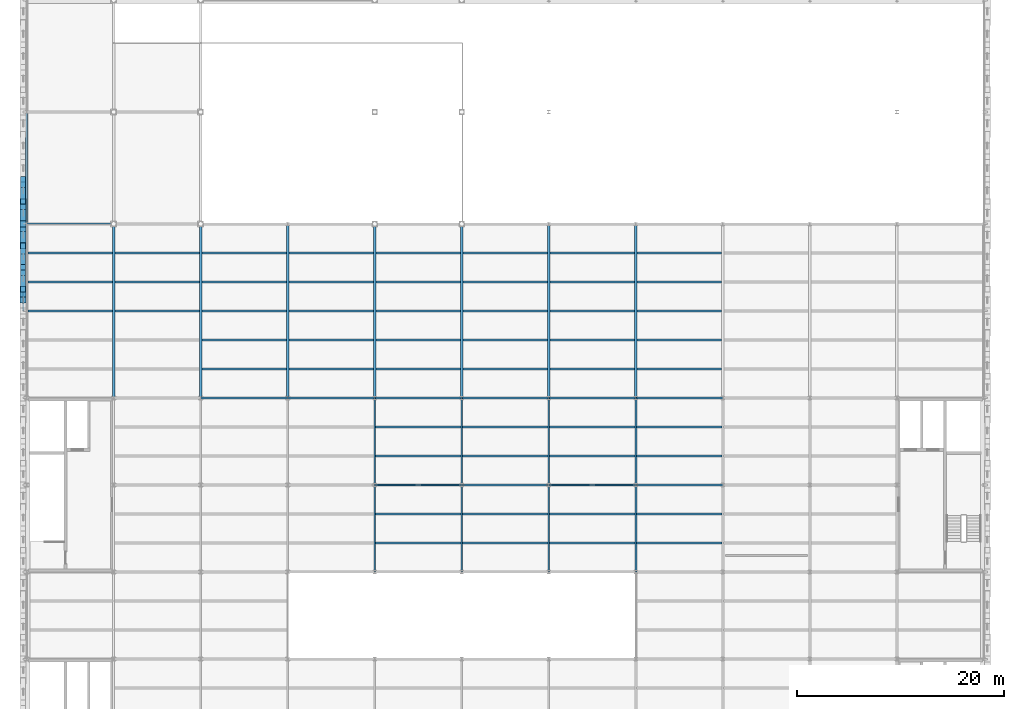
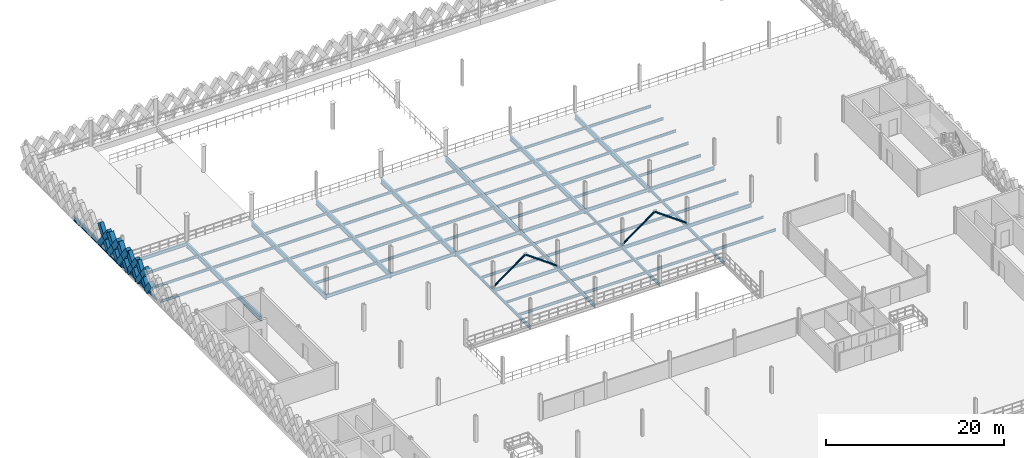
# One storey, part 22 of 47: 79 beams, 21 members.
"""IFC4 building model written with IfcOpenShell, lengths in metres."""

import ifcopenshell
import ifcopenshell.guid

model = None  # the IFC model being written
_history = None  # IfcOwnerHistory: only IFC2X3 demands one
_inside = {}  # id of a spatial element -> (the spatial element, [elements in it])
_under = {}  # id of a project, library or spatial element -> (it, [spatial elements below it])
_declared = {}  # id of a project -> (the project, [libraries it declares])
_typed = {}  # id of a type object -> (the type object, [elements of that type])
_made_of = {}  # id of a material, layer set ... -> (it, [elements and type objects made of it])


def new_model(schema):
    """Start an empty IFC model of exactly this schema.

    Asked for "IFC4X3", IfcOpenShell would pick the latest addendum, in which some entities
    have other attributes; the version numbers below select the first issue.
    IFC2X3 requires an IfcOwnerHistory on every rooted entity: one is made here for all.
    """
    global model, _history
    if schema == "IFC4X3":
        model = ifcopenshell.file(schema_version=(4, 3, 0, 0))
    else:
        model = ifcopenshell.file(schema=schema)
    _inside.clear()
    _under.clear()
    _declared.clear()
    _typed.clear()
    _made_of.clear()
    _history = None
    if model.schema == "IFC2X3":
        org = make("IfcOrganization", Name="unknown")
        user = make(
            "IfcPersonAndOrganization",
            ThePerson=make("IfcPerson", FamilyName="unknown"),
            TheOrganization=org,
        )
        app = make(
            "IfcApplication",
            ApplicationDeveloper=org,
            Version="unknown",
            ApplicationFullName="unknown",
            ApplicationIdentifier="unknown",
        )
        _history = make(
            "IfcOwnerHistory",
            OwningUser=user,
            OwningApplication=app,
            ChangeAction="ADDED",
            CreationDate=0,
        )
    return model


def make(cls, **values):
    """One entity of the class cls with the attributes given. An attribute that is None is left unset."""
    return model.create_entity(
        cls, **{name: value for name, value in values.items() if value is not None}
    )


def rooted(cls, **values):
    """An entity with a GlobalId (a new one), such as an element, a storey or a relation."""
    return make(cls, GlobalId=ifcopenshell.guid.new(), OwnerHistory=_history, **values)


def si_unit(unit_type, name, prefix=None):
    """IfcSIUnit, for example si_unit("LENGTHUNIT", "METRE", prefix="MILLI")."""
    return make("IfcSIUnit", UnitType=unit_type, Prefix=prefix, Name=name)


def assignment(units):
    """IfcUnitAssignment: the units of a project."""
    return None if units is None else make("IfcUnitAssignment", Units=units)


def point(xyz):
    """IfcCartesianPoint."""
    return None if xyz is None else make("IfcCartesianPoint", Coordinates=xyz)


def direction(xyz):
    """IfcDirection."""
    return None if xyz is None else make("IfcDirection", DirectionRatios=xyz)


def frame(location, z_axis=None, x_axis=None):
    """IfcAxis2Placement3D, a coordinate frame: its origin and axes. An axis left out is left unset."""
    return make(
        "IfcAxis2Placement3D",
        Location=point(location),
        Axis=direction(z_axis),
        RefDirection=direction(x_axis),
    )


def frame_2d(location, x_axis=None):
    """IfcAxis2Placement2D, a coordinate frame in the plane: its origin and x axis."""
    return make(
        "IfcAxis2Placement2D", Location=point(location), RefDirection=direction(x_axis)
    )


def origin():
    """The frame at (0, 0, 0) with its axes left unset."""
    return frame((0.0, 0.0, 0.0))


def origin_2d():
    """The frame at (0, 0) in the plane with its x axis left unset."""
    return frame_2d((0.0, 0.0))


def place(relative_to, where):
    """IfcLocalPlacement: puts the frame where relative to a parent placement (None: the world)."""
    return make(
        "IfcLocalPlacement", PlacementRelTo=relative_to, RelativePlacement=where
    )


def context(
    kind, dimensions, precision=None, world=None, true_north=None, identifier=None
):
    """IfcGeometricRepresentationContext, for example the 3D "Model" context."""
    return make(
        "IfcGeometricRepresentationContext",
        ContextIdentifier=identifier,
        ContextType=kind,
        CoordinateSpaceDimension=dimensions,
        Precision=precision,
        WorldCoordinateSystem=world,
        TrueNorth=true_north,
    )


def subcontext(parent, identifier, kind, view, scale=None):
    """IfcGeometricRepresentationSubContext, for example "Body" below "Model"."""
    return make(
        "IfcGeometricRepresentationSubContext",
        ContextIdentifier=identifier,
        ContextType=kind,
        ParentContext=parent,
        TargetScale=scale,
        TargetView=view,
    )


def project(units=None, contexts=None):
    """IfcProject with its units and contexts."""
    return rooted(
        "IfcProject",
        Name="project",
        RepresentationContexts=contexts,
        UnitsInContext=assignment(units),
    )


def spatial(cls, under=None, at=None, **own):
    """A site, building, storey or space (cls), placed at a placement, below another one or the project."""
    s = rooted(cls, ObjectPlacement=at, **own)
    if under is not None:
        _under.setdefault(under.id(), (under, []))[1].append(s)
    return s


def profile(cls, at=None, kind="AREA", **sizes):
    """A parametric profile (cls). Its sizes go by their IFC names, for example OverallWidth=200.0."""
    return make(cls, ProfileType=kind, Position=at, **sizes)


def rectangle(**sizes):
    """IfcRectangleProfileDef."""
    return profile("IfcRectangleProfileDef", **sizes)


def hollow_rectangle(**sizes):
    """IfcRectangleHollowProfileDef."""
    return profile("IfcRectangleHollowProfileDef", **sizes)


def hollow_circle(**sizes):
    """IfcCircleHollowProfileDef."""
    return profile("IfcCircleHollowProfileDef", **sizes)


def i_section(**sizes):
    """IfcIShapeProfileDef."""
    return profile("IfcIShapeProfileDef", **sizes)


def extrude(swept, where, along, depth):
    """IfcExtrudedAreaSolid: the profile swept, set in the frame where, extruded along a direction by depth."""
    return make(
        "IfcExtrudedAreaSolid",
        SweptArea=swept,
        Position=where,
        ExtrudedDirection=direction(along),
        Depth=depth,
    )


def shape(context_of_items, identifier, shape_type, items):
    """IfcShapeRepresentation: the items that make up one representation, for example the "Body"."""
    return make(
        "IfcShapeRepresentation",
        ContextOfItems=context_of_items,
        RepresentationIdentifier=identifier,
        RepresentationType=shape_type,
        Items=items,
    )


def material(Name=None, Category=None):
    """IfcMaterial."""
    return make("IfcMaterial", Name=Name, Category=Category)


def material_profile(
    of_material, cross_section, Name=None, Category=None, Priority=None
):
    """IfcMaterialProfile: a cross section and its material."""
    return make(
        "IfcMaterialProfile",
        Name=Name,
        Material=of_material,
        Profile=cross_section,
        Priority=Priority,
        Category=Category,
    )


def profile_set(profiles, Name=None, composite=None):
    """IfcMaterialProfileSet."""
    return make(
        "IfcMaterialProfileSet",
        Name=Name,
        MaterialProfiles=profiles,
        CompositeProfile=composite,
    )


def made_of(thing, what):
    """Note that an element or type object is made of a material, layer set ...; save() writes the relation."""
    if what is not None:
        _made_of.setdefault(what.id(), (what, []))[1].append(thing)
    return thing


def type_object(cls, material=None, **own):
    """A type object (cls), such as IfcWallType, which elements share."""
    return made_of(rooted(cls, **own), material)


def element(
    cls,
    number,
    at=None,
    inside=None,
    cuts=None,
    type_object=None,
    material=None,
    context=None,
    identifier="Body",
    shape_type=None,
    held_by="IfcProductDefinitionShape",
    body=None,
    shapes=None,
    **own,
):
    """One element of the class cls, such as IfcWall. Its Tag is "e" and its number.

    at: its placement. inside: the storey or other place that contains it. cuts: it is an
    opening in that element (IfcRelVoidsElement). A single representation is given by context,
    identifier, shape_type and body (its items); several are given by shapes. held_by: the class
    of the entity that holds the representations. save() writes the other relations.
    """
    e = rooted(cls, Tag="e%d" % number, ObjectPlacement=at, **own)
    if body is not None:
        shapes = [shape(context, identifier, shape_type, body)]
    if shapes is not None:
        e.Representation = make(held_by, Representations=shapes)
    if inside is not None:
        _inside.setdefault(inside.id(), (inside, []))[1].append(e)
    if cuts is not None:
        rooted(
            "IfcRelVoidsElement", RelatingBuildingElement=cuts, RelatedOpeningElement=e
        )
    if type_object is not None:
        _typed.setdefault(type_object.id(), (type_object, []))[1].append(e)
    return made_of(e, material)


def aggregate(whole, parts):
    """IfcRelAggregates: a whole, such as a stair, and the parts it consists of."""
    return rooted("IfcRelAggregates", RelatingObject=whole, RelatedObjects=parts)


def save(model, path):
    """Write the relations noted so far, then the file.

    IfcRelAggregates (storeys below a building ...), IfcRelContainedInSpatialStructure (elements
    in a storey), IfcRelDefinesByType, IfcRelAssociatesMaterial and IfcRelDeclares: one each for
    every whole, place, type object, material and project.
    """
    for whole, parts in _under.values():
        aggregate(whole, parts)
    for where, things in _inside.values():
        rooted(
            "IfcRelContainedInSpatialStructure",
            RelatedElements=things,
            RelatingStructure=where,
        )
    for kind, things in _typed.values():
        rooted("IfcRelDefinesByType", RelatedObjects=things, RelatingType=kind)
    for what, things in _made_of.values():
        rooted("IfcRelAssociatesMaterial", RelatedObjects=things, RelatingMaterial=what)
    for by, libraries in _declared.values():
        rooted("IfcRelDeclares", RelatingContext=by, RelatedDefinitions=libraries)
    model.write(path)


model = new_model("IFC4")

# Units and contexts
model_context = context("Model", 3, precision=1e-05, world=origin(), true_north=direction((0.0, 1.0)))
body_context = subcontext(model_context, "Body", "Model", "MODEL_VIEW")
ifc_project = project(units=[si_unit("LENGTHUNIT", "METRE"), si_unit("AREAUNIT", "SQUARE_METRE"), si_unit("VOLUMEUNIT", "CUBIC_METRE"), si_unit("PLANEANGLEUNIT", "RADIAN"), si_unit("MASSUNIT", "GRAM", prefix="KILO"), si_unit("THERMODYNAMICTEMPERATUREUNIT", "KELVIN"), si_unit("POWERUNIT", "WATT")], contexts=[model_context])

# Site, building, storey
site_placement = place(None, origin())
site = spatial("IfcSite", under=ifc_project, at=site_placement, CompositionType="ELEMENT")
building_placement = place(site_placement, origin())
building = spatial("IfcBuilding", under=site, at=building_placement, Name="Tembeka Court Mobility Hub", CompositionType="ELEMENT")
storey_placement = place(building_placement, frame((0.0, 0.0, 19.800048828125)))
storey = spatial("IfcBuildingStorey", under=building, at=storey_placement, Name="L05", CompositionType="ELEMENT", Elevation=19.800048828125)

# Beams
ifc_material_1 = material(Name="Steel S355", Category="steel")
ifc_material_profile_1 = material_profile(ifc_material_1, i_section(OverallWidth=0.18994140625, OverallDepth=0.45703125, WebThickness=0.009033203125, FlangeThickness=0.014404296875, FilletRadius=0.01025390625, at=origin_2d()), Name="UKB 457x191x74")
ifc_profile_set_1 = profile_set([ifc_material_profile_1], Name="Steel S355")
beam_type_1 = type_object("IfcBeamType", Name="BM-B01", PredefinedType="BEAM", material=ifc_profile_set_1)
for number, where, z_axis, x_axis, name in (
    (1, (33.60009765625, 72.0, -0.448486328125), (1.0, 0.0, 0.0), (0.0, 1.0, 0.0), "Beam B01 (BM-L05-X2736)"),
    (2, (42.0, 72.0, -0.448486328125), (1.0, 0.0, 0.0), (0.0, 1.0, 0.0), "Beam B01 (BM-L05-X2737)"),
):
    element("IfcBeam", number, at=place(storey_placement, frame(where, z_axis=z_axis, x_axis=x_axis)), inside=storey, type_object=beam_type_1, Name=name, PredefinedType="BEAM", context=body_context, shape_type="SweptSolid", body=[
        extrude(i_section(OverallWidth=0.18994140625, OverallDepth=0.45703125, WebThickness=0.009033203125, FlangeThickness=0.014404296875, FilletRadius=0.01025390625, at=origin_2d()), origin(), (0.0, 0.0, 1.0), 8.39990234375),
    ])
beam_1_placement = place(storey_placement, frame((50.39990234375, 72.0, -0.448486328125), z_axis=(1.0, 0.0, 0.0), x_axis=(0.0, 1.0, 0.0)))
element("IfcBeam", 3, at=beam_1_placement, inside=storey, type_object=beam_type_1, Name="Beam B01 (BM-L05-X2738)", PredefinedType="BEAM", context=body_context, shape_type="SweptSolid", body=[
    extrude(i_section(OverallWidth=0.18994140625, OverallDepth=0.45703125, WebThickness=0.009033203125, FlangeThickness=0.014404296875, FilletRadius=0.01025390625, at=origin_2d()), origin(), (0.0, 0.0, 1.0), 8.400146484375),
])
for number, where, z_axis, x_axis, name in (
    (4, (58.800048828125, 72.0, -0.448486328125), (1.0, 0.0, 0.0), (0.0, 1.0, 0.0), "Beam B01 (BM-L05-X2739)"),
    (5, (16.800048828125, 80.39990234375, -0.448486328125), (1.0, 0.0, 0.0), (0.0, 1.0, 0.0), "Beam B01 (BM-L05-X2744)"),
):
    element("IfcBeam", number, at=place(storey_placement, frame(where, z_axis=z_axis, x_axis=x_axis)), inside=storey, type_object=beam_type_1, Name=name, PredefinedType="BEAM", context=body_context, shape_type="SweptSolid", body=[
        extrude(i_section(OverallWidth=0.18994140625, OverallDepth=0.45703125, WebThickness=0.009033203125, FlangeThickness=0.014404296875, FilletRadius=0.01025390625, at=origin_2d()), origin(), (0.0, 0.0, 1.0), 8.39990234375),
    ])
beam_2_placement = place(storey_placement, frame((25.199951171875, 80.39990234375, -0.448486328125), z_axis=(1.0, 0.0, 0.0), x_axis=(0.0, 1.0, 0.0)))
element("IfcBeam", 6, at=beam_2_placement, inside=storey, type_object=beam_type_1, Name="Beam B01 (BM-L05-X2745)", PredefinedType="BEAM", context=body_context, shape_type="SweptSolid", body=[
    extrude(i_section(OverallWidth=0.18994140625, OverallDepth=0.45703125, WebThickness=0.009033203125, FlangeThickness=0.014404296875, FilletRadius=0.01025390625, at=origin_2d()), origin(), (0.0, 0.0, 1.0), 8.400146484375),
])
for number, where, z_axis, x_axis, name in (
    (7, (33.60009765625, 80.39990234375, -0.448486328125), (1.0, 0.0, 0.0), (0.0, 1.0, 0.0), "Beam B01 (BM-L05-X2746)"),
    (8, (42.0, 80.39990234375, -0.448486328125), (1.0, 0.0, 0.0), (0.0, 1.0, 0.0), "Beam B01 (BM-L05-X2747)"),
):
    element("IfcBeam", number, at=place(storey_placement, frame(where, z_axis=z_axis, x_axis=x_axis)), inside=storey, type_object=beam_type_1, Name=name, PredefinedType="BEAM", context=body_context, shape_type="SweptSolid", body=[
        extrude(i_section(OverallWidth=0.18994140625, OverallDepth=0.45703125, WebThickness=0.009033203125, FlangeThickness=0.014404296875, FilletRadius=0.01025390625, at=origin_2d()), origin(), (0.0, 0.0, 1.0), 8.39990234375),
    ])
beam_3_placement = place(storey_placement, frame((50.39990234375, 80.39990234375, -0.448486328125), z_axis=(1.0, 0.0, 0.0), x_axis=(0.0, 1.0, 0.0)))
element("IfcBeam", 9, at=beam_3_placement, inside=storey, type_object=beam_type_1, Name="Beam B01 (BM-L05-X2748)", PredefinedType="BEAM", context=body_context, shape_type="SweptSolid", body=[
    extrude(i_section(OverallWidth=0.18994140625, OverallDepth=0.45703125, WebThickness=0.009033203125, FlangeThickness=0.014404296875, FilletRadius=0.01025390625, at=origin_2d()), origin(), (0.0, 0.0, 1.0), 8.400146484375),
])
for number, where, z_axis, x_axis, name in (
    (10, (58.800048828125, 80.39990234375, -0.448486328125), (1.0, 0.0, 0.0), (0.0, 1.0, 0.0), "Beam B01 (BM-L05-X2749)"),
    (11, (0.0, 97.199951171875, -0.478515625), (1.0, 0.0, 0.0), (0.0, 1.0, 0.0), "Beam B01 (BM-L05-X2753)"),
):
    element("IfcBeam", number, at=place(storey_placement, frame(where, z_axis=z_axis, x_axis=x_axis)), inside=storey, type_object=beam_type_1, Name=name, PredefinedType="BEAM", context=body_context, shape_type="SweptSolid", body=[
        extrude(i_section(OverallWidth=0.18994140625, OverallDepth=0.45703125, WebThickness=0.009033203125, FlangeThickness=0.014404296875, FilletRadius=0.01025390625, at=origin_2d()), origin(), (0.0, 0.0, 1.0), 8.39990234375),
    ])
ifc_material_profile_2 = material_profile(ifc_material_1, i_section(OverallWidth=0.177978515625, OverallDepth=0.406005859375, WebThickness=0.0078125, FlangeThickness=0.0126953125, FilletRadius=0.01025390625, at=origin_2d()), Name="UKB 406x178x60")
ifc_profile_set_2 = profile_set([ifc_material_profile_2], Name="Steel S355")
beam_type_2 = type_object("IfcBeamType", Name="BM-B02", PredefinedType="BEAM", material=ifc_profile_set_2)
for number, where, z_axis, x_axis, name in (
    (12, (33.60009765625, 63.60009765625, -0.423095703125), (0.0, 1.0, 0.0), (-1.0, 0.0, 0.0), "Beam B02 (BM-L05-Y2819)"),
    (13, (33.60009765625, 72.0, -0.423095703125), (0.0, 1.0, 0.0), (-1.0, 0.0, 0.0), "Beam B02 (BM-L05-Y2820)"),
    (14, (42.0, 63.60009765625, -0.423095703125), (0.0, 1.0, 0.0), (-1.0, 0.0, 0.0), "Beam B02 (BM-L05-Y2825)"),
    (15, (42.0, 72.0, -0.423095703125), (0.0, 1.0, 0.0), (-1.0, 0.0, 0.0), "Beam B02 (BM-L05-Y2826)"),
    (16, (50.39990234375, 63.60009765625, -0.423095703125), (0.0, 1.0, 0.0), (-1.0, 0.0, 0.0), "Beam B02 (BM-L05-Y2831)"),
    (17, (50.39990234375, 72.0, -0.423095703125), (0.0, 1.0, 0.0), (-1.0, 0.0, 0.0), "Beam B02 (BM-L05-Y2832)"),
    (18, (58.800048828125, 63.60009765625, -0.423095703125), (0.0, 1.0, 0.0), (-1.0, 0.0, 0.0), "Beam B02 (BM-L05-Y2838)"),
    (19, (58.800048828125, 72.0, -0.423095703125), (0.0, 1.0, 0.0), (-1.0, 0.0, 0.0), "Beam B02 (BM-L05-Y2839)"),
):
    element("IfcBeam", number, at=place(storey_placement, frame(where, z_axis=z_axis, x_axis=x_axis)), inside=storey, type_object=beam_type_2, Name=name, PredefinedType="BEAM", context=body_context, shape_type="SweptSolid", body=[
        extrude(i_section(OverallWidth=0.177978515625, OverallDepth=0.406005859375, WebThickness=0.0078125, FlangeThickness=0.0126953125, FilletRadius=0.01025390625, at=origin_2d()), origin(), (0.0, 0.0, 1.0), 8.39990234375),
    ])
ifc_material_profile_3 = material_profile(ifc_material_1, i_section(OverallWidth=0.25390625, OverallDepth=0.68408203125, WebThickness=0.012451171875, FlangeThickness=0.01904296875, FilletRadius=0.01513671875, at=origin_2d()), Name="UKB 686x254x140")
ifc_profile_set_3 = profile_set([ifc_material_profile_3], Name="Steel S355")
beam_type_3 = type_object("IfcBeamType", Name="BM-G01", PredefinedType="USERDEFINED", material=ifc_profile_set_3)
for number, where, z_axis, x_axis, name in (
    (20, (8.39990234375, 80.39990234375, -0.592041015625), (0.0, 1.0, 0.0), (-1.0, 0.0, 0.0), "Beam G01 (BM-L05-Y2795)"),
    (21, (16.800048828125, 80.39990234375, -0.592041015625), (0.0, 1.0, 0.0), (-1.0, 0.0, 0.0), "Beam G01 (BM-L05-Y2806)"),
    (22, (25.199951171875, 80.39990234375, -0.56201171875), (0.0, 1.0, 0.0), (-1.0, 0.0, 0.0), "Beam G01 (BM-L05-Y2815)"),
    (23, (33.60009765625, 80.39990234375, -0.56201171875), (0.0, 1.0, 0.0), (-1.0, 0.0, 0.0), "Beam G01 (BM-L05-Y2821)"),
    (24, (42.0, 80.39990234375, -0.56201171875), (0.0, 1.0, 0.0), (-1.0, 0.0, 0.0), "Beam G01 (BM-L05-Y2827)"),
    (25, (50.39990234375, 80.39990234375, -0.56201171875), (0.0, 1.0, 0.0), (-1.0, 0.0, 0.0), "Beam G01 (BM-L05-Y2833)"),
    (26, (58.800048828125, 80.39990234375, -0.56201171875), (0.0, 1.0, 0.0), (-1.0, 0.0, 0.0), "Beam G01 (BM-L05-Y2840)"),
):
    element("IfcBeam", number, at=place(storey_placement, frame(where, z_axis=z_axis, x_axis=x_axis)), inside=storey, type_object=beam_type_3, Name=name, ObjectType="GIRDER", PredefinedType="USERDEFINED", context=body_context, shape_type="SweptSolid", body=[
        extrude(i_section(OverallWidth=0.25390625, OverallDepth=0.68408203125, WebThickness=0.012451171875, FlangeThickness=0.01904296875, FilletRadius=0.01513671875, at=origin_2d()), origin(), (0.0, 0.0, 1.0), 16.800048828125),
    ])
ifc_material_profile_4 = material_profile(ifc_material_1, i_section(OverallWidth=0.22900390625, OverallDepth=0.612060546875, WebThickness=0.011962890625, FlangeThickness=0.01953125, FilletRadius=0.0126953125, at=origin_2d()), Name="UKB 610x229x125")
ifc_profile_set_4 = profile_set([ifc_material_profile_4], Name="Steel S355")
beam_type_4 = type_object("IfcBeamType", Name="BM-G02", PredefinedType="USERDEFINED", material=ifc_profile_set_4)
beam_4_placement = place(storey_placement, frame((0.0, 97.199951171875, -0.526123046875), z_axis=(0.0, 1.0, 0.0), x_axis=(-1.0, 0.0, 0.0)))
element("IfcBeam", 27, at=beam_4_placement, inside=storey, type_object=beam_type_4, Name="Beam G02 (BM-L05-Y2785)", ObjectType="GIRDER", PredefinedType="USERDEFINED", context=body_context, shape_type="SweptSolid", body=[
    extrude(i_section(OverallWidth=0.22900390625, OverallDepth=0.612060546875, WebThickness=0.011962890625, FlangeThickness=0.01953125, FilletRadius=0.0126953125, at=origin_2d()), origin(), (0.0, 0.0, 1.0), 10.800048828125),
])
ifc_material_profile_5 = material_profile(ifc_material_1, i_section(OverallWidth=0.172119140625, OverallDepth=0.35498046875, WebThickness=0.00732421875, FlangeThickness=0.011474609375, FilletRadius=0.01025390625, at=origin_2d()), Name="UKB 356x171x51")
ifc_profile_set_5 = profile_set([ifc_material_profile_5], Name="Steel S355")
beam_type_5 = type_object("IfcBeamType", Name="BM-J01", PredefinedType="JOIST", material=ifc_profile_set_5)
for number, where, z_axis, x_axis, name in (
    (28, (0.1220703125, 88.800048828125, -0.3974609375), (1.0, 0.0, 0.0), (0.0, 1.0, 0.0), "Beam J01 (JST-L05-2890)"),
    (29, (0.1220703125, 91.60009765625, -0.3974609375), (1.0, 0.0, 0.0), (0.0, 1.0, 0.0), "Beam J01 (JST-L05-2891)"),
    (30, (0.1220703125, 94.39990234375, -0.3974609375), (1.0, 0.0, 0.0), (0.0, 1.0, 0.0), "Beam J01 (JST-L05-2892)"),
    (31, (8.52197265625, 88.800048828125, -0.3974609375), (1.0, 0.0, 0.0), (0.0, 1.0, 0.0), "Beam J01 (JST-L05-2910)"),
    (32, (8.52197265625, 91.60009765625, -0.3974609375), (1.0, 0.0, 0.0), (0.0, 1.0, 0.0), "Beam J01 (JST-L05-2911)"),
    (33, (8.52197265625, 94.39990234375, -0.3974609375), (1.0, 0.0, 0.0), (0.0, 1.0, 0.0), "Beam J01 (JST-L05-2912)"),
):
    element("IfcBeam", number, at=place(storey_placement, frame(where, z_axis=z_axis, x_axis=x_axis)), inside=storey, type_object=beam_type_5, Name=name, PredefinedType="JOIST", context=body_context, shape_type="SweptSolid", body=[
        extrude(i_section(OverallWidth=0.172119140625, OverallDepth=0.35498046875, WebThickness=0.00732421875, FlangeThickness=0.011474609375, FilletRadius=0.01025390625, at=origin_2d()), origin(), (0.0, 0.0, 1.0), 8.156005859375),
    ])
for number, where, z_axis, x_axis, name in (
    (34, (16.922119140625, 83.199951171875, -0.3974609375), (1.0, 0.0, 0.0), (0.0, 1.0, 0.0), "Beam J01 (JST-L05-2928)"),
    (35, (16.922119140625, 86.0, -0.3974609375), (1.0, 0.0, 0.0), (0.0, 1.0, 0.0), "Beam J01 (JST-L05-2929)"),
    (36, (16.922119140625, 88.800048828125, -0.3974609375), (1.0, 0.0, 0.0), (0.0, 1.0, 0.0), "Beam J01 (JST-L05-2930)"),
    (37, (16.922119140625, 91.60009765625, -0.3974609375), (1.0, 0.0, 0.0), (0.0, 1.0, 0.0), "Beam J01 (JST-L05-2931)"),
    (38, (16.922119140625, 94.39990234375, -0.3974609375), (1.0, 0.0, 0.0), (0.0, 1.0, 0.0), "Beam J01 (JST-L05-2932)"),
):
    element("IfcBeam", number, at=place(storey_placement, frame(where, z_axis=z_axis, x_axis=x_axis)), inside=storey, type_object=beam_type_5, Name=name, PredefinedType="JOIST", context=body_context, shape_type="SweptSolid", body=[
        extrude(i_section(OverallWidth=0.172119140625, OverallDepth=0.35498046875, WebThickness=0.00732421875, FlangeThickness=0.011474609375, FilletRadius=0.01025390625, at=origin_2d()), origin(), (0.0, 0.0, 1.0), 8.15576171875),
    ])
for number, where, z_axis, x_axis, name in (
    (39, (25.322021484375, 83.199951171875, -0.3974609375), (1.0, 0.0, 0.0), (0.0, 1.0, 0.0), "Beam J01 (JST-L05-2946)"),
    (40, (25.322021484375, 86.0, -0.3974609375), (1.0, 0.0, 0.0), (0.0, 1.0, 0.0), "Beam J01 (JST-L05-2947)"),
    (41, (25.322021484375, 88.800048828125, -0.3974609375), (1.0, 0.0, 0.0), (0.0, 1.0, 0.0), "Beam J01 (JST-L05-2948)"),
    (42, (25.322021484375, 91.60009765625, -0.3974609375), (1.0, 0.0, 0.0), (0.0, 1.0, 0.0), "Beam J01 (JST-L05-2949)"),
    (43, (25.322021484375, 94.39990234375, -0.3974609375), (1.0, 0.0, 0.0), (0.0, 1.0, 0.0), "Beam J01 (JST-L05-2950)"),
    (44, (33.721923828125, 83.199951171875, -0.3974609375), (1.0, 0.0, 0.0), (0.0, 1.0, 0.0), "Beam J01 (JST-L05-2964)"),
    (45, (33.721923828125, 86.0, -0.3974609375), (1.0, 0.0, 0.0), (0.0, 1.0, 0.0), "Beam J01 (JST-L05-2965)"),
    (46, (33.721923828125, 88.800048828125, -0.3974609375), (1.0, 0.0, 0.0), (0.0, 1.0, 0.0), "Beam J01 (JST-L05-2966)"),
    (47, (33.721923828125, 91.60009765625, -0.3974609375), (1.0, 0.0, 0.0), (0.0, 1.0, 0.0), "Beam J01 (JST-L05-2967)"),
    (48, (33.721923828125, 94.39990234375, -0.3974609375), (1.0, 0.0, 0.0), (0.0, 1.0, 0.0), "Beam J01 (JST-L05-2968)"),
    (49, (42.1220703125, 83.199951171875, -0.3974609375), (1.0, 0.0, 0.0), (0.0, 1.0, 0.0), "Beam J01 (JST-L05-2982)"),
    (50, (42.1220703125, 86.0, -0.3974609375), (1.0, 0.0, 0.0), (0.0, 1.0, 0.0), "Beam J01 (JST-L05-2983)"),
    (51, (42.1220703125, 88.800048828125, -0.3974609375), (1.0, 0.0, 0.0), (0.0, 1.0, 0.0), "Beam J01 (JST-L05-2984)"),
    (52, (42.1220703125, 91.60009765625, -0.3974609375), (1.0, 0.0, 0.0), (0.0, 1.0, 0.0), "Beam J01 (JST-L05-2985)"),
    (53, (42.1220703125, 94.39990234375, -0.3974609375), (1.0, 0.0, 0.0), (0.0, 1.0, 0.0), "Beam J01 (JST-L05-2986)"),
    (54, (50.52197265625, 83.199951171875, -0.3974609375), (1.0, 0.0, 0.0), (0.0, 1.0, 0.0), "Beam J01 (JST-L05-3000)"),
    (55, (50.52197265625, 86.0, -0.3974609375), (1.0, 0.0, 0.0), (0.0, 1.0, 0.0), "Beam J01 (JST-L05-3001)"),
    (56, (50.52197265625, 88.800048828125, -0.3974609375), (1.0, 0.0, 0.0), (0.0, 1.0, 0.0), "Beam J01 (JST-L05-3002)"),
    (57, (50.52197265625, 91.60009765625, -0.3974609375), (1.0, 0.0, 0.0), (0.0, 1.0, 0.0), "Beam J01 (JST-L05-3003)"),
    (58, (50.52197265625, 94.39990234375, -0.3974609375), (1.0, 0.0, 0.0), (0.0, 1.0, 0.0), "Beam J01 (JST-L05-3004)"),
):
    element("IfcBeam", number, at=place(storey_placement, frame(where, z_axis=z_axis, x_axis=x_axis)), inside=storey, type_object=beam_type_5, Name=name, PredefinedType="JOIST", context=body_context, shape_type="SweptSolid", body=[
        extrude(i_section(OverallWidth=0.172119140625, OverallDepth=0.35498046875, WebThickness=0.00732421875, FlangeThickness=0.011474609375, FilletRadius=0.01025390625, at=origin_2d()), origin(), (0.0, 0.0, 1.0), 8.156005859375),
    ])
for number, where, z_axis, x_axis, name in (
    (59, (58.922119140625, 83.199951171875, -0.3974609375), (1.0, 0.0, 0.0), (0.0, 1.0, 0.0), "Beam J01 (JST-L05-3020)"),
    (60, (58.922119140625, 86.0, -0.3974609375), (1.0, 0.0, 0.0), (0.0, 1.0, 0.0), "Beam J01 (JST-L05-3021)"),
    (61, (58.922119140625, 88.800048828125, -0.3974609375), (1.0, 0.0, 0.0), (0.0, 1.0, 0.0), "Beam J01 (JST-L05-3022)"),
    (62, (58.922119140625, 91.60009765625, -0.3974609375), (1.0, 0.0, 0.0), (0.0, 1.0, 0.0), "Beam J01 (JST-L05-3023)"),
    (63, (58.922119140625, 94.39990234375, -0.3974609375), (1.0, 0.0, 0.0), (0.0, 1.0, 0.0), "Beam J01 (JST-L05-3024)"),
):
    element("IfcBeam", number, at=place(storey_placement, frame(where, z_axis=z_axis, x_axis=x_axis)), inside=storey, type_object=beam_type_5, Name=name, PredefinedType="JOIST", context=body_context, shape_type="SweptSolid", body=[
        extrude(i_section(OverallWidth=0.172119140625, OverallDepth=0.35498046875, WebThickness=0.00732421875, FlangeThickness=0.011474609375, FilletRadius=0.01025390625, at=origin_2d()), origin(), (0.0, 0.0, 1.0), 8.15576171875),
    ])
ifc_material_profile_6 = material_profile(ifc_material_1, i_section(OverallWidth=0.1650390625, OverallDepth=0.303955078125, WebThickness=0.006103515625, FlangeThickness=0.01025390625, FilletRadius=0.0087890625, at=origin_2d()), Name="UKB 305x165x40")
ifc_profile_set_6 = profile_set([ifc_material_profile_6], Name="Steel S355")
beam_type_6 = type_object("IfcBeamType", Name="BM-J02", PredefinedType="JOIST", material=ifc_profile_set_6)
for number, where, z_axis, x_axis, name in (
    (64, (33.68408203125, 69.199951171875, -0.3720703125), (1.0, 0.0, 0.0), (0.0, 1.0, 0.0), "Beam J02 (JST-L05-2961)"),
    (65, (33.68408203125, 77.60009765625, -0.3720703125), (1.0, 0.0, 0.0), (0.0, 1.0, 0.0), "Beam J02 (JST-L05-2963)"),
    (66, (42.083984375, 69.199951171875, -0.3720703125), (1.0, 0.0, 0.0), (0.0, 1.0, 0.0), "Beam J02 (JST-L05-2979)"),
    (67, (42.083984375, 77.60009765625, -0.3720703125), (1.0, 0.0, 0.0), (0.0, 1.0, 0.0), "Beam J02 (JST-L05-2981)"),
):
    element("IfcBeam", number, at=place(storey_placement, frame(where, z_axis=z_axis, x_axis=x_axis)), inside=storey, type_object=beam_type_6, Name=name, PredefinedType="JOIST", context=body_context, shape_type="SweptSolid", body=[
        extrude(i_section(OverallWidth=0.1650390625, OverallDepth=0.303955078125, WebThickness=0.006103515625, FlangeThickness=0.01025390625, FilletRadius=0.0087890625, at=origin_2d()), origin(), (0.0, 0.0, 1.0), 8.23193359375),
    ])
for number, where, z_axis, x_axis, name in (
    (68, (50.48388671875, 69.199951171875, -0.3720703125), (1.0, 0.0, 0.0), (0.0, 1.0, 0.0), "Beam J02 (JST-L05-2997)"),
    (69, (50.48388671875, 77.60009765625, -0.3720703125), (1.0, 0.0, 0.0), (0.0, 1.0, 0.0), "Beam J02 (JST-L05-2999)"),
):
    element("IfcBeam", number, at=place(storey_placement, frame(where, z_axis=z_axis, x_axis=x_axis)), inside=storey, type_object=beam_type_6, Name=name, PredefinedType="JOIST", context=body_context, shape_type="SweptSolid", body=[
        extrude(i_section(OverallWidth=0.1650390625, OverallDepth=0.303955078125, WebThickness=0.006103515625, FlangeThickness=0.01025390625, FilletRadius=0.0087890625, at=origin_2d()), origin(), (0.0, 0.0, 1.0), 8.232177734375),
    ])
for number, where, z_axis, x_axis, name in (
    (70, (58.884033203125, 69.199951171875, -0.3720703125), (1.0, 0.0, 0.0), (0.0, 1.0, 0.0), "Beam J02 (JST-L05-3017)"),
    (71, (58.884033203125, 77.60009765625, -0.3720703125), (1.0, 0.0, 0.0), (0.0, 1.0, 0.0), "Beam J02 (JST-L05-3019)"),
):
    element("IfcBeam", number, at=place(storey_placement, frame(where, z_axis=z_axis, x_axis=x_axis)), inside=storey, type_object=beam_type_6, Name=name, PredefinedType="JOIST", context=body_context, shape_type="SweptSolid", body=[
        extrude(i_section(OverallWidth=0.1650390625, OverallDepth=0.303955078125, WebThickness=0.006103515625, FlangeThickness=0.01025390625, FilletRadius=0.0087890625, at=origin_2d()), origin(), (0.0, 0.0, 1.0), 8.23193359375),
    ])
ifc_material_profile_7 = material_profile(ifc_material_1, i_section(OverallWidth=0.169921875, OverallDepth=0.360107421875, WebThickness=0.008056640625, FlangeThickness=0.0126953125, FilletRadius=0.01806640625, at=origin_2d()), Name="IPE 360")
ifc_profile_set_7 = profile_set([ifc_material_profile_7], Name="Steel S355")
beam_type_7 = type_object("IfcBeamType", Name="BM-J03", PredefinedType="JOIST", material=ifc_profile_set_7)
for number, where, z_axis, x_axis, name in (
    (72, (33.68408203125, 66.39990234375, -0.400146484375), (1.0, 0.0, 0.0), (0.0, 1.0, 0.0), "Beam J03 (JST-L05-2960)"),
    (73, (33.68408203125, 74.800048828125, -0.400146484375), (1.0, 0.0, 0.0), (0.0, 1.0, 0.0), "Beam J03 (JST-L05-2962)"),
    (74, (42.083984375, 66.39990234375, -0.400146484375), (1.0, 0.0, 0.0), (0.0, 1.0, 0.0), "Beam J03 (JST-L05-2978)"),
    (75, (42.083984375, 74.800048828125, -0.400146484375), (1.0, 0.0, 0.0), (0.0, 1.0, 0.0), "Beam J03 (JST-L05-2980)"),
):
    element("IfcBeam", number, at=place(storey_placement, frame(where, z_axis=z_axis, x_axis=x_axis)), inside=storey, type_object=beam_type_7, Name=name, PredefinedType="JOIST", context=body_context, shape_type="SweptSolid", body=[
        extrude(i_section(OverallWidth=0.169921875, OverallDepth=0.360107421875, WebThickness=0.008056640625, FlangeThickness=0.0126953125, FilletRadius=0.01806640625, at=origin_2d()), origin(), (0.0, 0.0, 1.0), 8.23193359375),
    ])
for number, where, z_axis, x_axis, name in (
    (76, (50.48388671875, 66.39990234375, -0.400146484375), (1.0, 0.0, 0.0), (0.0, 1.0, 0.0), "Beam J03 (JST-L05-2996)"),
    (77, (50.48388671875, 74.800048828125, -0.400146484375), (1.0, 0.0, 0.0), (0.0, 1.0, 0.0), "Beam J03 (JST-L05-2998)"),
):
    element("IfcBeam", number, at=place(storey_placement, frame(where, z_axis=z_axis, x_axis=x_axis)), inside=storey, type_object=beam_type_7, Name=name, PredefinedType="JOIST", context=body_context, shape_type="SweptSolid", body=[
        extrude(i_section(OverallWidth=0.169921875, OverallDepth=0.360107421875, WebThickness=0.008056640625, FlangeThickness=0.0126953125, FilletRadius=0.01806640625, at=origin_2d()), origin(), (0.0, 0.0, 1.0), 8.232177734375),
    ])
for number, where, z_axis, x_axis, name in (
    (78, (58.884033203125, 66.39990234375, -0.400146484375), (1.0, 0.0, 0.0), (0.0, 1.0, 0.0), "Beam J03 (JST-L05-3016)"),
    (79, (58.884033203125, 74.800048828125, -0.400146484375), (1.0, 0.0, 0.0), (0.0, 1.0, 0.0), "Beam J03 (JST-L05-3018)"),
):
    element("IfcBeam", number, at=place(storey_placement, frame(where, z_axis=z_axis, x_axis=x_axis)), inside=storey, type_object=beam_type_7, Name=name, PredefinedType="JOIST", context=body_context, shape_type="SweptSolid", body=[
        extrude(i_section(OverallWidth=0.169921875, OverallDepth=0.360107421875, WebThickness=0.008056640625, FlangeThickness=0.0126953125, FilletRadius=0.01806640625, at=origin_2d()), origin(), (0.0, 0.0, 1.0), 8.23193359375),
    ])

# Members
ifc_material_profile_8 = material_profile(ifc_material_1, hollow_circle(Radius=0.109619140625, WallThickness=0.010009765625, at=origin_2d()), Name="CHS 219.1x10")
ifc_profile_set_8 = profile_set([ifc_material_profile_8], Name="Steel S355")
member_type_1 = type_object("IfcMemberType", Name="MEM-BR01", PredefinedType="BRACE", material=ifc_profile_set_8)
for number, where, z_axis, x_axis, name in (
    (80, (33.60009765625, 72.0, 0.02001953125), (0.81097870636, 0.0, 0.585075668466), (0.0, 1.0, 0.0), "Steel chevron brace BR01 (L05-6A)"),
    (81, (42.0, 72.0, 0.02001953125), (-0.81097870636, 0.0, 0.585075668466), (0.0, -1.0, 0.0), "Steel chevron brace BR01 (L05-6B)"),
    (82, (50.39990234375, 72.0, 0.02001953125), (0.810994842677, 0.0, 0.58505330112), (0.0, 1.0, 0.0), "Steel chevron brace BR01 (L05-12A)"),
    (83, (58.800048828125, 72.0, 0.02001953125), (-0.81097870636, 0.0, 0.585075668466), (0.0, -1.0, 0.0), "Steel chevron brace BR01 (L05-12B)"),
):
    element("IfcMember", number, at=place(storey_placement, frame(where, z_axis=z_axis, x_axis=x_axis)), inside=storey, type_object=member_type_1, Name=name, PredefinedType="BRACE", context=body_context, shape_type="SweptSolid", body=[
        extrude(hollow_circle(Radius=0.109619140625, WallThickness=0.010009765625, at=origin_2d()), origin(), (0.0, 0.0, 1.0), 5.178955078125),
    ])
ifc_material_2 = material(Name="Precast concrete C45/55", Category="concrete")
ifc_material_profile_9 = material_profile(ifc_material_2, rectangle(XDim=0.5, YDim=0.64990234375, at=origin_2d()), Name="PC-DIAG 500x650")
ifc_profile_set_9 = profile_set([ifc_material_profile_9], Name="Precast concrete C45/55")
member_type_2 = type_object("IfcMemberType", Name="MEM-DL01", PredefinedType="BRACE", material=ifc_profile_set_9)
member_1_placement = place(storey_placement, frame((-0.340087890625, 90.89990234375, 0.02001953125), z_axis=(0.0, 0.582576362011, 0.812775973086), x_axis=(-1.0, 0.0, 0.0)))
element("IfcMember", 84, at=member_1_placement, inside=storey, type_object=member_type_2, Name="Precast diamond lattice continuous strand DL01 (L05-920C)", PredefinedType="BRACE", context=body_context, shape_type="SweptSolid", body=[
    extrude(rectangle(XDim=0.5, YDim=0.64990234375, at=origin_2d()), origin(), (0.0, 0.0, 1.0), 3.604736328125),
])
member_2_placement = place(storey_placement, frame((-0.340087890625, 93.0, 0.02001953125), z_axis=(0.0, -0.582608431711, 0.812752985414), x_axis=(1.0, 0.0, 0.0)))
element("IfcMember", 85, at=member_2_placement, inside=storey, type_object=member_type_2, Name="Precast diamond lattice split lower strand DL01 (L05-920D1)", PredefinedType="BRACE", context=body_context, shape_type="SweptSolid", body=[
    extrude(rectangle(XDim=0.5, YDim=0.64990234375, at=origin_2d()), origin(), (0.0, 0.0, 1.0), 1.80224609375),
])
member_3_placement = place(storey_placement, frame((-0.340087890625, 91.949951171875, 1.48486328125), z_axis=(0.0, -0.582544294934, 0.812798956963), x_axis=(1.0, 0.0, 0.0)))
element("IfcMember", 86, at=member_3_placement, inside=storey, type_object=member_type_2, Name="Precast diamond lattice split upper strand DL01 (L05-920D2)", PredefinedType="BRACE", context=body_context, shape_type="SweptSolid", body=[
    extrude(rectangle(XDim=0.5, YDim=0.64990234375, at=origin_2d()), origin(), (0.0, 0.0, 1.0), 1.802490234375),
])
member_4_placement = place(storey_placement, frame((-0.340087890625, 93.0, 0.02001953125), z_axis=(0.0, 0.582576362011, 0.812775973086), x_axis=(-1.0, 0.0, 0.0)))
element("IfcMember", 87, at=member_4_placement, inside=storey, type_object=member_type_2, Name="Precast diamond lattice continuous strand DL01 (L05-921C)", PredefinedType="BRACE", context=body_context, shape_type="SweptSolid", body=[
    extrude(rectangle(XDim=0.5, YDim=0.64990234375, at=origin_2d()), origin(), (0.0, 0.0, 1.0), 3.604736328125),
])
member_5_placement = place(storey_placement, frame((-0.340087890625, 95.10009765625, 0.02001953125), z_axis=(0.0, -0.582608431711, 0.812752985414), x_axis=(1.0, 0.0, 0.0)))
element("IfcMember", 88, at=member_5_placement, inside=storey, type_object=member_type_2, Name="Precast diamond lattice split lower strand DL01 (L05-921D1)", PredefinedType="BRACE", context=body_context, shape_type="SweptSolid", body=[
    extrude(rectangle(XDim=0.5, YDim=0.64990234375, at=origin_2d()), origin(), (0.0, 0.0, 1.0), 1.80224609375),
])
member_6_placement = place(storey_placement, frame((-0.340087890625, 94.050048828125, 1.48486328125), z_axis=(0.0, -0.582544294934, 0.812798956963), x_axis=(1.0, 0.0, 0.0)))
element("IfcMember", 89, at=member_6_placement, inside=storey, type_object=member_type_2, Name="Precast diamond lattice split upper strand DL01 (L05-921D2)", PredefinedType="BRACE", context=body_context, shape_type="SweptSolid", body=[
    extrude(rectangle(XDim=0.5, YDim=0.64990234375, at=origin_2d()), origin(), (0.0, 0.0, 1.0), 1.802490234375),
])
member_7_placement = place(storey_placement, frame((-0.340087890625, 99.360107421875, 0.02001953125), z_axis=(0.0, 0.593379766398, 0.804922637792), x_axis=(-1.0, 0.0, 0.0)))
element("IfcMember", 90, at=member_7_placement, inside=storey, type_object=member_type_2, Name="Precast diamond lattice continuous strand DL01 (L05-924C)", PredefinedType="BRACE", context=body_context, shape_type="SweptSolid", body=[
    extrude(rectangle(XDim=0.5, YDim=0.64990234375, at=origin_2d()), origin(), (0.0, 0.0, 1.0), 3.64013671875),
])
for number, where, z_axis, x_axis, name in (
    (91, (-0.340087890625, 101.52001953125, 0.02001953125), (0.0, -0.593455255298, 0.804866982773), (1.0, 0.0, 0.0), "Precast diamond lattice split lower strand DL01 (L05-924D1)"),
    (92, (-0.340087890625, 100.43994140625, 1.48486328125), (0.0, -0.593304274421, 0.804978284151), (1.0, 0.0, 0.0), "Precast diamond lattice split upper strand DL01 (L05-924D2)"),
):
    element("IfcMember", number, at=place(storey_placement, frame(where, z_axis=z_axis, x_axis=x_axis)), inside=storey, type_object=member_type_2, Name=name, PredefinedType="BRACE", context=body_context, shape_type="SweptSolid", body=[
        extrude(rectangle(XDim=0.5, YDim=0.64990234375, at=origin_2d()), origin(), (0.0, 0.0, 1.0), 1.820068359375),
    ])
ifc_material_profile_10 = material_profile(ifc_material_2, rectangle(XDim=0.60009765625, YDim=0.75, at=origin_2d()), Name="PC-DIAG 600x750")
ifc_profile_set_10 = profile_set([ifc_material_profile_10], Name="Precast concrete C45/55")
member_type_3 = type_object("IfcMemberType", Name="MEM-DL02", PredefinedType="BRACE", material=ifc_profile_set_10)
member_8_placement = place(storey_placement, frame((-0.340087890625, 90.89990234375, 0.02001953125), z_axis=(0.0, -0.582518941428, 0.812817127574), x_axis=(1.0, 0.0, 0.0)))
element("IfcMember", 93, at=member_8_placement, inside=storey, type_object=member_type_3, Name="Precast diamond lattice split lower strand DL02 (L05-919D1)", PredefinedType="BRACE", context=body_context, shape_type="SweptSolid", body=[
    extrude(rectangle(XDim=0.60009765625, YDim=0.75, at=origin_2d()), origin(), (0.0, 0.0, 1.0), 1.80224609375),
])
member_9_placement = place(storey_placement, frame((-0.340087890625, 95.10009765625, 0.02001953125), z_axis=(0.0, 0.58253161945, 0.812808041509), x_axis=(-1.0, 0.0, 0.0)))
element("IfcMember", 94, at=member_9_placement, inside=storey, type_object=member_type_3, Name="Precast diamond lattice continuous strand DL02 (L05-922C)", PredefinedType="BRACE", context=body_context, shape_type="SweptSolid", body=[
    extrude(rectangle(XDim=0.60009765625, YDim=0.75, at=origin_2d()), origin(), (0.0, 0.0, 1.0), 3.604736328125),
])
member_10_placement = place(storey_placement, frame((-0.340087890625, 97.199951171875, 0.02001953125), z_axis=(0.0, -0.582608431711, 0.812752985414), x_axis=(1.0, 0.0, 0.0)))
element("IfcMember", 95, at=member_10_placement, inside=storey, type_object=member_type_3, Name="Precast diamond lattice split lower strand DL02 (L05-922D1)", PredefinedType="BRACE", context=body_context, shape_type="SweptSolid", body=[
    extrude(rectangle(XDim=0.60009765625, YDim=0.75, at=origin_2d()), origin(), (0.0, 0.0, 1.0), 1.80224609375),
])
member_11_placement = place(storey_placement, frame((-0.340087890625, 96.14990234375, 1.48486328125), z_axis=(0.0, -0.582454804382, 0.812863088627), x_axis=(1.0, 0.0, 0.0)))
element("IfcMember", 96, at=member_11_placement, inside=storey, type_object=member_type_3, Name="Precast diamond lattice split upper strand DL02 (L05-922D2)", PredefinedType="BRACE", context=body_context, shape_type="SweptSolid", body=[
    extrude(rectangle(XDim=0.60009765625, YDim=0.75, at=origin_2d()), origin(), (0.0, 0.0, 1.0), 1.802490234375),
])
member_12_placement = place(storey_placement, frame((-0.340087890625, 97.199951171875, 0.02001953125), z_axis=(0.0, 0.593423219328, 0.804890602978), x_axis=(-1.0, 0.0, 0.0)))
element("IfcMember", 97, at=member_12_placement, inside=storey, type_object=member_type_3, Name="Precast diamond lattice continuous strand DL02 (L05-923C)", PredefinedType="BRACE", context=body_context, shape_type="SweptSolid", body=[
    extrude(rectangle(XDim=0.60009765625, YDim=0.75, at=origin_2d()), origin(), (0.0, 0.0, 1.0), 3.64013671875),
])
for number, where, z_axis, x_axis, name in (
    (98, (-0.340087890625, 99.360107421875, 0.02001953125), (0.0, -0.593455255298, 0.804866982773), (1.0, 0.0, 0.0), "Precast diamond lattice split lower strand DL02 (L05-923D1)"),
    (99, (-0.340087890625, 98.280029296875, 1.48486328125), (0.0, -0.593391185876, 0.804914219358), (1.0, 0.0, 0.0), "Precast diamond lattice split upper strand DL02 (L05-923D2)"),
):
    element("IfcMember", number, at=place(storey_placement, frame(where, z_axis=z_axis, x_axis=x_axis)), inside=storey, type_object=member_type_3, Name=name, PredefinedType="BRACE", context=body_context, shape_type="SweptSolid", body=[
        extrude(rectangle(XDim=0.60009765625, YDim=0.75, at=origin_2d()), origin(), (0.0, 0.0, 1.0), 1.820068359375),
    ])
ifc_material_profile_11 = material_profile(ifc_material_1, hollow_rectangle(XDim=0.14990234375, YDim=0.300048828125, WallThickness=0.010009765625, at=origin_2d()), Name="RHS 300x150x10")
ifc_profile_set_11 = profile_set([ifc_material_profile_11], Name="Steel S355")
member_type_4 = type_object("IfcMemberType", Name="MEM-ST03", PredefinedType="STRUT", material=ifc_profile_set_11)
member_13_placement = place(storey_placement, frame((-0.340087890625, 88.800048828125, 0.02001953125), z_axis=(0.0, 1.0, 0.0), x_axis=(-1.0, 0.0, 0.0)))
element("IfcMember", 100, at=member_13_placement, inside=storey, type_object=member_type_4, Name="Proud lattice sill tie chord SR03 (L05-W-88)", PredefinedType="STRUT", context=body_context, shape_type="SweptSolid", body=[
    extrude(hollow_rectangle(XDim=0.14990234375, YDim=0.300048828125, WallThickness=0.010009765625, at=origin_2d()), origin(), (0.0, 0.0, 1.0), 8.39990234375),
])

save(model, "model.ifc")
